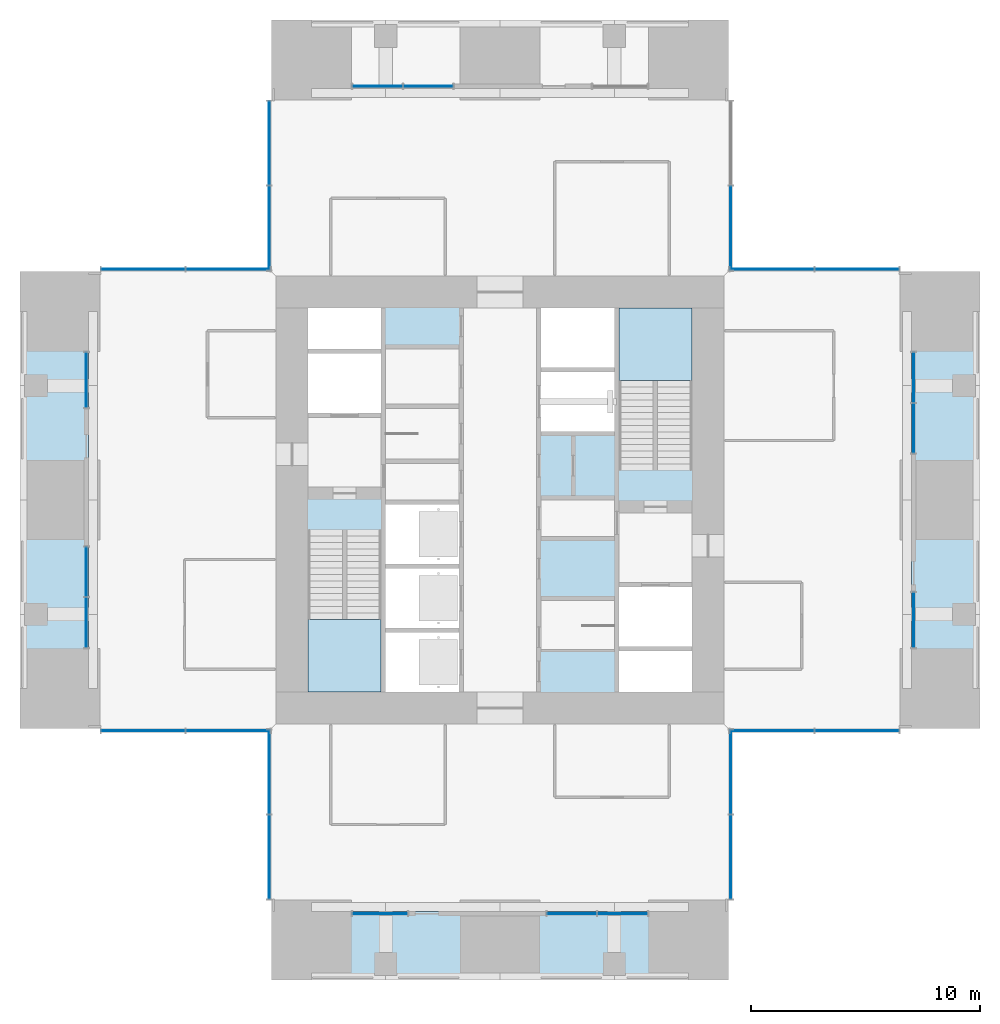
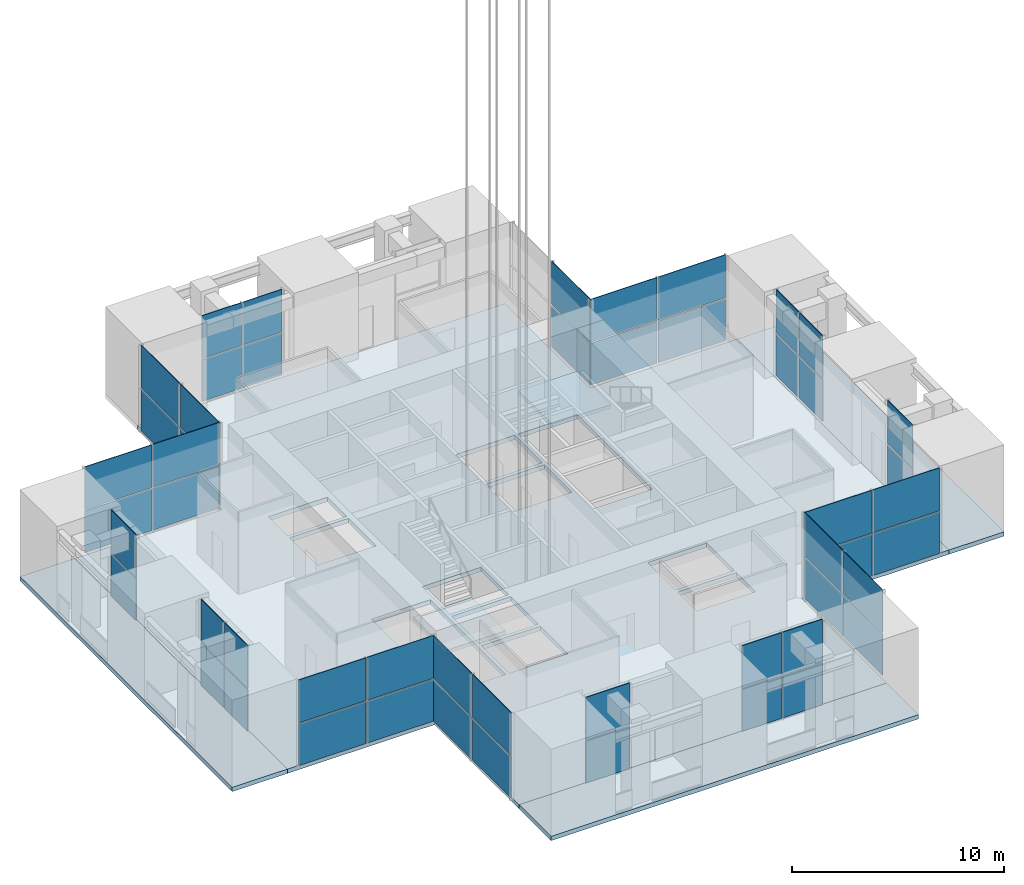
# One storey, part 4 of 17: 52 plates, 6 slabs, 17 elements without a shape of their own.
"""IFC4 building model written with IfcOpenShell, lengths in metres."""

from ifc_helpers import new_model, si_unit, direction, frame, origin, origin_2d, place, context, subcontext, project, spatial, polyline, rectangle, outline, extrude, material, layer, layer_set, type_object, element, aggregate, save


model = new_model("IFC4")

# Units and contexts
model_context = context("Model", 3, precision=1e-05, world=origin(), true_north=direction((0.0, 1.0)))
body_context = subcontext(model_context, "Body", "Model", "MODEL_VIEW")
ifc_project = project(units=[si_unit("LENGTHUNIT", "METRE"), si_unit("AREAUNIT", "SQUARE_METRE"), si_unit("VOLUMEUNIT", "CUBIC_METRE"), si_unit("PLANEANGLEUNIT", "RADIAN"), si_unit("MASSUNIT", "GRAM", prefix="KILO")], contexts=[model_context])

# Site, building, storey
site_placement = place(None, origin())
site = spatial("IfcSite", under=ifc_project, at=site_placement, CompositionType="ELEMENT")
building_placement = place(site_placement, origin())
building = spatial("IfcBuilding", under=site, at=building_placement, Name="Svetlomir Tower", CompositionType="ELEMENT")
storey_placement = place(building_placement, frame((0.0, 0.0, 165.5)))
storey = spatial("IfcBuildingStorey", under=building, at=storey_placement, Name="L39", CompositionType="ELEMENT", Elevation=165.5)

# Curtain wall, plates
ifc_material_1 = material(Name="Bronze anodised aluminium curtain wall", Category="aluminium")
curtain_wall_type = type_object("IfcCurtainWallType", Name="CURTAIN WALL CW2 SKY LOBBY", PredefinedType="NOTDEFINED", material=ifc_material_1)
curtain_wall_1_placement = place(storey_placement, origin())
curtain_wall_1 = element("IfcCurtainWall", 1, at=curtain_wall_1_placement, inside=storey, type_object=curtain_wall_type, Name="Curtain wall CW2 L39", PredefinedType="NOTDEFINED")
ifc_material_2 = material(Name="Tinted double glazed unit", Category="glass")
ifc_layer_1 = layer(ifc_material_2, 0.035888671875)
ifc_layer_set_1 = layer_set([ifc_layer_1], Name="Tinted double glazed unit")
plate_type = type_object("IfcPlateType", Name="CW2 GLAZED PANEL 36", PredefinedType="CURTAIN_PANEL", material=ifc_layer_set_1)
plate_1_placement = place(storey_placement, frame((15.75, 2.89990234375, 0.06494140625), z_axis=(0.0, 0.0, 1.0), x_axis=(1.0, 0.0, 0.0)))
plate_1 = element("IfcPlate", 2, at=plate_1_placement, type_object=plate_type, Name="CW2 panel 1.1", PredefinedType="CURTAIN_PANEL", context=body_context, shape_type="SweptSolid", body=[
    extrude(rectangle(XDim=2.3701171875, YDim=0.035888671875, at=origin_2d()), origin(), (0.0, 0.0, 1.0), 2.402587890625),
])
plate_2_placement = place(storey_placement, frame((15.75, 2.89990234375, 2.53271484375), z_axis=(0.0, 0.0, 1.0), x_axis=(1.0, 0.0, 0.0)))
plate_2 = element("IfcPlate", 3, at=plate_2_placement, type_object=plate_type, Name="CW2 panel 1.2", PredefinedType="CURTAIN_PANEL", context=body_context, shape_type="SweptSolid", body=[
    extrude(rectangle(XDim=2.3701171875, YDim=0.035888671875, at=origin_2d()), origin(), (0.0, 0.0, 1.0), 2.467529296875),
])
aggregate(curtain_wall_1, [plate_1, plate_2])

curtain_wall_2_placement = place(storey_placement, origin())
curtain_wall_2 = element("IfcCurtainWall", 4, at=curtain_wall_2_placement, inside=storey, type_object=curtain_wall_type, Name="Curtain wall CW2 L39", PredefinedType="NOTDEFINED")
plate_3_placement = place(storey_placement, frame((24.141357421875, 2.89990234375, 0.06494140625), z_axis=(0.0, 0.0, 1.0), x_axis=(1.0, 0.0, 0.0)))
plate_3 = element("IfcPlate", 5, at=plate_3_placement, type_object=plate_type, Name="CW2 panel 1.1", PredefinedType="CURTAIN_PANEL", context=body_context, shape_type="SweptSolid", body=[
    extrude(rectangle(XDim=2.152587890625, YDim=0.035888671875, at=origin_2d()), origin(), (0.0, 0.0, 1.0), 2.402587890625),
])
plate_4_placement = place(storey_placement, frame((24.141357421875, 2.89990234375, 2.53271484375), z_axis=(0.0, 0.0, 1.0), x_axis=(1.0, 0.0, 0.0)))
plate_4 = element("IfcPlate", 6, at=plate_4_placement, type_object=plate_type, Name="CW2 panel 1.2", PredefinedType="CURTAIN_PANEL", context=body_context, shape_type="SweptSolid", body=[
    extrude(rectangle(XDim=2.152587890625, YDim=0.035888671875, at=origin_2d()), origin(), (0.0, 0.0, 1.0), 2.467529296875),
])
plate_5_placement = place(storey_placement, frame((26.358642578125, 2.89990234375, 0.06494140625), z_axis=(0.0, 0.0, 1.0), x_axis=(1.0, 0.0, 0.0)))
plate_5 = element("IfcPlate", 7, at=plate_5_placement, type_object=plate_type, Name="CW2 panel 2.1", PredefinedType="CURTAIN_PANEL", context=body_context, shape_type="SweptSolid", body=[
    extrude(rectangle(XDim=2.152587890625, YDim=0.035888671875, at=origin_2d()), origin(), (0.0, 0.0, 1.0), 2.402587890625),
])
plate_6_placement = place(storey_placement, frame((26.358642578125, 2.89990234375, 2.53271484375), z_axis=(0.0, 0.0, 1.0), x_axis=(1.0, 0.0, 0.0)))
plate_6 = element("IfcPlate", 8, at=plate_6_placement, type_object=plate_type, Name="CW2 panel 2.2", PredefinedType="CURTAIN_PANEL", context=body_context, shape_type="SweptSolid", body=[
    extrude(rectangle(XDim=2.152587890625, YDim=0.035888671875, at=origin_2d()), origin(), (0.0, 0.0, 1.0), 2.467529296875),
])
aggregate(curtain_wall_2, [plate_3, plate_4, plate_5, plate_6])

curtain_wall_3_placement = place(storey_placement, origin())
curtain_wall_3 = element("IfcCurtainWall", 9, at=curtain_wall_3_placement, inside=storey, type_object=curtain_wall_type, Name="Curtain wall CW2 L39", PredefinedType="NOTDEFINED")
plate_7_placement = place(storey_placement, frame((31.10009765625, 5.391357421875, 0.06494140625), z_axis=(0.0, 0.0, 1.0), x_axis=(0.0, 1.0, 0.0)))
plate_7 = element("IfcPlate", 10, at=plate_7_placement, type_object=plate_type, Name="CW2 panel 1.1", PredefinedType="CURTAIN_PANEL", context=body_context, shape_type="SweptSolid", body=[
    extrude(rectangle(XDim=3.652587890625, YDim=0.035888671875, at=origin_2d()), origin(), (0.0, 0.0, 1.0), 2.402587890625),
])
plate_8_placement = place(storey_placement, frame((31.10009765625, 5.391357421875, 2.53271484375), z_axis=(0.0, 0.0, 1.0), x_axis=(0.0, 1.0, 0.0)))
plate_8 = element("IfcPlate", 11, at=plate_8_placement, type_object=plate_type, Name="CW2 panel 1.2", PredefinedType="CURTAIN_PANEL", context=body_context, shape_type="SweptSolid", body=[
    extrude(rectangle(XDim=3.652587890625, YDim=0.035888671875, at=origin_2d()), origin(), (0.0, 0.0, 1.0), 2.467529296875),
])
plate_9_placement = place(storey_placement, frame((31.10009765625, 9.108642578125, 0.06494140625), z_axis=(0.0, 0.0, 1.0), x_axis=(0.0, 1.0, 0.0)))
plate_9 = element("IfcPlate", 12, at=plate_9_placement, type_object=plate_type, Name="CW2 panel 2.1", PredefinedType="CURTAIN_PANEL", context=body_context, shape_type="SweptSolid", body=[
    extrude(rectangle(XDim=3.652587890625, YDim=0.035888671875, at=origin_2d()), origin(), (0.0, 0.0, 1.0), 2.402587890625),
])
plate_10_placement = place(storey_placement, frame((31.10009765625, 9.108642578125, 2.53271484375), z_axis=(0.0, 0.0, 1.0), x_axis=(0.0, 1.0, 0.0)))
plate_10 = element("IfcPlate", 13, at=plate_10_placement, type_object=plate_type, Name="CW2 panel 2.2", PredefinedType="CURTAIN_PANEL", context=body_context, shape_type="SweptSolid", body=[
    extrude(rectangle(XDim=3.652587890625, YDim=0.035888671875, at=origin_2d()), origin(), (0.0, 0.0, 1.0), 2.467529296875),
])
aggregate(curtain_wall_3, [plate_7, plate_8, plate_9, plate_10])

curtain_wall_4_placement = place(storey_placement, origin())
curtain_wall_4 = element("IfcCurtainWall", 14, at=curtain_wall_4_placement, inside=storey, type_object=curtain_wall_type, Name="Curtain wall CW2 L39", PredefinedType="NOTDEFINED")
plate_11_placement = place(storey_placement, frame((32.891357421875, 10.89990234375, 0.06494140625), z_axis=(0.0, 0.0, 1.0), x_axis=(1.0, 0.0, 0.0)))
plate_11 = element("IfcPlate", 15, at=plate_11_placement, type_object=plate_type, Name="CW2 panel 1.1", PredefinedType="CURTAIN_PANEL", context=body_context, shape_type="SweptSolid", body=[
    extrude(rectangle(XDim=3.652587890625, YDim=0.035888671875, at=origin_2d()), origin(), (0.0, 0.0, 1.0), 2.402587890625),
])
plate_12_placement = place(storey_placement, frame((32.891357421875, 10.89990234375, 2.53271484375), z_axis=(0.0, 0.0, 1.0), x_axis=(1.0, 0.0, 0.0)))
plate_12 = element("IfcPlate", 16, at=plate_12_placement, type_object=plate_type, Name="CW2 panel 1.2", PredefinedType="CURTAIN_PANEL", context=body_context, shape_type="SweptSolid", body=[
    extrude(rectangle(XDim=3.652587890625, YDim=0.035888671875, at=origin_2d()), origin(), (0.0, 0.0, 1.0), 2.467529296875),
])
plate_13_placement = place(storey_placement, frame((36.608642578125, 10.89990234375, 0.06494140625), z_axis=(0.0, 0.0, 1.0), x_axis=(1.0, 0.0, 0.0)))
plate_13 = element("IfcPlate", 17, at=plate_13_placement, type_object=plate_type, Name="CW2 panel 2.1", PredefinedType="CURTAIN_PANEL", context=body_context, shape_type="SweptSolid", body=[
    extrude(rectangle(XDim=3.652587890625, YDim=0.035888671875, at=origin_2d()), origin(), (0.0, 0.0, 1.0), 2.402587890625),
])
plate_14_placement = place(storey_placement, frame((36.608642578125, 10.89990234375, 2.53271484375), z_axis=(0.0, 0.0, 1.0), x_axis=(1.0, 0.0, 0.0)))
plate_14 = element("IfcPlate", 18, at=plate_14_placement, type_object=plate_type, Name="CW2 panel 2.2", PredefinedType="CURTAIN_PANEL", context=body_context, shape_type="SweptSolid", body=[
    extrude(rectangle(XDim=3.652587890625, YDim=0.035888671875, at=origin_2d()), origin(), (0.0, 0.0, 1.0), 2.467529296875),
])
aggregate(curtain_wall_4, [plate_11, plate_12, plate_13, plate_14])

curtain_wall_5_placement = place(storey_placement, origin())
curtain_wall_5 = element("IfcCurtainWall", 19, at=curtain_wall_5_placement, inside=storey, type_object=curtain_wall_type, Name="Curtain wall CW2 L39", PredefinedType="NOTDEFINED")
plate_15_placement = place(storey_placement, frame((39.10009765625, 15.75, 0.06494140625), z_axis=(0.0, 0.0, 1.0), x_axis=(0.0, 1.0, 0.0)))
plate_15 = element("IfcPlate", 20, at=plate_15_placement, type_object=plate_type, Name="CW2 panel 1.1", PredefinedType="CURTAIN_PANEL", context=body_context, shape_type="SweptSolid", body=[
    extrude(rectangle(XDim=2.3701171875, YDim=0.035888671875, at=origin_2d()), origin(), (0.0, 0.0, 1.0), 2.402587890625),
])
plate_16_placement = place(storey_placement, frame((39.10009765625, 15.75, 2.53271484375), z_axis=(0.0, 0.0, 1.0), x_axis=(0.0, 1.0, 0.0)))
plate_16 = element("IfcPlate", 21, at=plate_16_placement, type_object=plate_type, Name="CW2 panel 1.2", PredefinedType="CURTAIN_PANEL", context=body_context, shape_type="SweptSolid", body=[
    extrude(rectangle(XDim=2.3701171875, YDim=0.035888671875, at=origin_2d()), origin(), (0.0, 0.0, 1.0), 2.467529296875),
])
aggregate(curtain_wall_5, [plate_15, plate_16])

curtain_wall_6_placement = place(storey_placement, origin())
curtain_wall_6 = element("IfcCurtainWall", 22, at=curtain_wall_6_placement, inside=storey, type_object=curtain_wall_type, Name="Curtain wall CW2 L39", PredefinedType="NOTDEFINED")
plate_17_placement = place(storey_placement, frame((39.10009765625, 24.141357421875, 0.06494140625), z_axis=(0.0, 0.0, 1.0), x_axis=(0.0, 1.0, 0.0)))
plate_17 = element("IfcPlate", 23, at=plate_17_placement, type_object=plate_type, Name="CW2 panel 1.1", PredefinedType="CURTAIN_PANEL", context=body_context, shape_type="SweptSolid", body=[
    extrude(rectangle(XDim=2.152587890625, YDim=0.035888671875, at=origin_2d()), origin(), (0.0, 0.0, 1.0), 2.402587890625),
])
plate_18_placement = place(storey_placement, frame((39.10009765625, 24.141357421875, 2.53271484375), z_axis=(0.0, 0.0, 1.0), x_axis=(0.0, 1.0, 0.0)))
plate_18 = element("IfcPlate", 24, at=plate_18_placement, type_object=plate_type, Name="CW2 panel 1.2", PredefinedType="CURTAIN_PANEL", context=body_context, shape_type="SweptSolid", body=[
    extrude(rectangle(XDim=2.152587890625, YDim=0.035888671875, at=origin_2d()), origin(), (0.0, 0.0, 1.0), 2.467529296875),
])
plate_19_placement = place(storey_placement, frame((39.10009765625, 26.358642578125, 0.06494140625), z_axis=(0.0, 0.0, 1.0), x_axis=(0.0, 1.0, 0.0)))
plate_19 = element("IfcPlate", 25, at=plate_19_placement, type_object=plate_type, Name="CW2 panel 2.1", PredefinedType="CURTAIN_PANEL", context=body_context, shape_type="SweptSolid", body=[
    extrude(rectangle(XDim=2.152587890625, YDim=0.035888671875, at=origin_2d()), origin(), (0.0, 0.0, 1.0), 2.402587890625),
])
plate_20_placement = place(storey_placement, frame((39.10009765625, 26.358642578125, 2.53271484375), z_axis=(0.0, 0.0, 1.0), x_axis=(0.0, 1.0, 0.0)))
plate_20 = element("IfcPlate", 26, at=plate_20_placement, type_object=plate_type, Name="CW2 panel 2.2", PredefinedType="CURTAIN_PANEL", context=body_context, shape_type="SweptSolid", body=[
    extrude(rectangle(XDim=2.152587890625, YDim=0.035888671875, at=origin_2d()), origin(), (0.0, 0.0, 1.0), 2.467529296875),
])
aggregate(curtain_wall_6, [plate_17, plate_18, plate_19, plate_20])

curtain_wall_7_placement = place(storey_placement, origin())
curtain_wall_7 = element("IfcCurtainWall", 27, at=curtain_wall_7_placement, inside=storey, type_object=curtain_wall_type, Name="Curtain wall CW2 L39", PredefinedType="NOTDEFINED")
plate_21_placement = place(storey_placement, frame((36.608642578125, 31.10009765625, 0.06494140625), z_axis=(0.0, 0.0, 1.0), x_axis=(-1.0, 0.0, 0.0)))
plate_21 = element("IfcPlate", 28, at=plate_21_placement, type_object=plate_type, Name="CW2 panel 1.1", PredefinedType="CURTAIN_PANEL", context=body_context, shape_type="SweptSolid", body=[
    extrude(rectangle(XDim=3.652587890625, YDim=0.035888671875, at=origin_2d()), origin(), (0.0, 0.0, 1.0), 2.402587890625),
])
plate_22_placement = place(storey_placement, frame((36.608642578125, 31.10009765625, 2.53271484375), z_axis=(0.0, 0.0, 1.0), x_axis=(-1.0, 0.0, 0.0)))
plate_22 = element("IfcPlate", 29, at=plate_22_placement, type_object=plate_type, Name="CW2 panel 1.2", PredefinedType="CURTAIN_PANEL", context=body_context, shape_type="SweptSolid", body=[
    extrude(rectangle(XDim=3.652587890625, YDim=0.035888671875, at=origin_2d()), origin(), (0.0, 0.0, 1.0), 2.467529296875),
])
plate_23_placement = place(storey_placement, frame((32.891357421875, 31.10009765625, 0.06494140625), z_axis=(0.0, 0.0, 1.0), x_axis=(-1.0, 0.0, 0.0)))
plate_23 = element("IfcPlate", 30, at=plate_23_placement, type_object=plate_type, Name="CW2 panel 2.1", PredefinedType="CURTAIN_PANEL", context=body_context, shape_type="SweptSolid", body=[
    extrude(rectangle(XDim=3.652587890625, YDim=0.035888671875, at=origin_2d()), origin(), (0.0, 0.0, 1.0), 2.402587890625),
])
plate_24_placement = place(storey_placement, frame((32.891357421875, 31.10009765625, 2.53271484375), z_axis=(0.0, 0.0, 1.0), x_axis=(-1.0, 0.0, 0.0)))
plate_24 = element("IfcPlate", 31, at=plate_24_placement, type_object=plate_type, Name="CW2 panel 2.2", PredefinedType="CURTAIN_PANEL", context=body_context, shape_type="SweptSolid", body=[
    extrude(rectangle(XDim=3.652587890625, YDim=0.035888671875, at=origin_2d()), origin(), (0.0, 0.0, 1.0), 2.467529296875),
])
aggregate(curtain_wall_7, [plate_21, plate_22, plate_23, plate_24])

curtain_wall_8_placement = place(storey_placement, origin())
curtain_wall_8 = element("IfcCurtainWall", 32, at=curtain_wall_8_placement, inside=storey, type_object=curtain_wall_type, Name="Curtain wall CW2 L39", PredefinedType="NOTDEFINED")
plate_25_placement = place(storey_placement, frame((31.10009765625, 32.891357421875, 0.06494140625), z_axis=(0.0, 0.0, 1.0), x_axis=(0.0, 1.0, 0.0)))
plate_25 = element("IfcPlate", 33, at=plate_25_placement, type_object=plate_type, Name="CW2 panel 1.1", PredefinedType="CURTAIN_PANEL", context=body_context, shape_type="SweptSolid", body=[
    extrude(rectangle(XDim=3.652587890625, YDim=0.035888671875, at=origin_2d()), origin(), (0.0, 0.0, 1.0), 2.402587890625),
])
plate_26_placement = place(storey_placement, frame((31.10009765625, 32.891357421875, 2.53271484375), z_axis=(0.0, 0.0, 1.0), x_axis=(0.0, 1.0, 0.0)))
plate_26 = element("IfcPlate", 34, at=plate_26_placement, type_object=plate_type, Name="CW2 panel 1.2", PredefinedType="CURTAIN_PANEL", context=body_context, shape_type="SweptSolid", body=[
    extrude(rectangle(XDim=3.652587890625, YDim=0.035888671875, at=origin_2d()), origin(), (0.0, 0.0, 1.0), 2.467529296875),
])
aggregate(curtain_wall_8, [plate_25, plate_26])

curtain_wall_9_placement = place(storey_placement, origin())
curtain_wall_9 = element("IfcCurtainWall", 35, at=curtain_wall_9_placement, inside=storey, type_object=curtain_wall_type, Name="Curtain wall CW2 L39", PredefinedType="NOTDEFINED")
plate_27_placement = place(storey_placement, frame((17.858642578125, 39.10009765625, 0.06494140625), z_axis=(0.0, 0.0, 1.0), x_axis=(-1.0, 0.0, 0.0)))
plate_27 = element("IfcPlate", 36, at=plate_27_placement, type_object=plate_type, Name="CW2 panel 1.1", PredefinedType="CURTAIN_PANEL", context=body_context, shape_type="SweptSolid", body=[
    extrude(rectangle(XDim=2.152587890625, YDim=0.035888671875, at=origin_2d()), origin(), (0.0, 0.0, 1.0), 2.402587890625),
])
plate_28_placement = place(storey_placement, frame((17.858642578125, 39.10009765625, 2.53271484375), z_axis=(0.0, 0.0, 1.0), x_axis=(-1.0, 0.0, 0.0)))
plate_28 = element("IfcPlate", 37, at=plate_28_placement, type_object=plate_type, Name="CW2 panel 1.2", PredefinedType="CURTAIN_PANEL", context=body_context, shape_type="SweptSolid", body=[
    extrude(rectangle(XDim=2.152587890625, YDim=0.035888671875, at=origin_2d()), origin(), (0.0, 0.0, 1.0), 2.467529296875),
])
plate_29_placement = place(storey_placement, frame((15.641357421875, 39.10009765625, 0.06494140625), z_axis=(0.0, 0.0, 1.0), x_axis=(-1.0, 0.0, 0.0)))
plate_29 = element("IfcPlate", 38, at=plate_29_placement, type_object=plate_type, Name="CW2 panel 2.1", PredefinedType="CURTAIN_PANEL", context=body_context, shape_type="SweptSolid", body=[
    extrude(rectangle(XDim=2.152587890625, YDim=0.035888671875, at=origin_2d()), origin(), (0.0, 0.0, 1.0), 2.402587890625),
])
plate_30_placement = place(storey_placement, frame((15.641357421875, 39.10009765625, 2.53271484375), z_axis=(0.0, 0.0, 1.0), x_axis=(-1.0, 0.0, 0.0)))
plate_30 = element("IfcPlate", 39, at=plate_30_placement, type_object=plate_type, Name="CW2 panel 2.2", PredefinedType="CURTAIN_PANEL", context=body_context, shape_type="SweptSolid", body=[
    extrude(rectangle(XDim=2.152587890625, YDim=0.035888671875, at=origin_2d()), origin(), (0.0, 0.0, 1.0), 2.467529296875),
])
aggregate(curtain_wall_9, [plate_27, plate_28, plate_29, plate_30])

curtain_wall_10_placement = place(storey_placement, origin())
curtain_wall_10 = element("IfcCurtainWall", 40, at=curtain_wall_10_placement, inside=storey, type_object=curtain_wall_type, Name="Curtain wall CW2 L39", PredefinedType="NOTDEFINED")
plate_31_placement = place(storey_placement, frame((10.89990234375, 36.608642578125, 0.06494140625), z_axis=(0.0, 0.0, 1.0), x_axis=(0.0, -1.0, 0.0)))
plate_31 = element("IfcPlate", 41, at=plate_31_placement, type_object=plate_type, Name="CW2 panel 1.1", PredefinedType="CURTAIN_PANEL", context=body_context, shape_type="SweptSolid", body=[
    extrude(rectangle(XDim=3.652587890625, YDim=0.035888671875, at=origin_2d()), origin(), (0.0, 0.0, 1.0), 2.402587890625),
])
plate_32_placement = place(storey_placement, frame((10.89990234375, 36.608642578125, 2.53271484375), z_axis=(0.0, 0.0, 1.0), x_axis=(0.0, -1.0, 0.0)))
plate_32 = element("IfcPlate", 42, at=plate_32_placement, type_object=plate_type, Name="CW2 panel 1.2", PredefinedType="CURTAIN_PANEL", context=body_context, shape_type="SweptSolid", body=[
    extrude(rectangle(XDim=3.652587890625, YDim=0.035888671875, at=origin_2d()), origin(), (0.0, 0.0, 1.0), 2.467529296875),
])
plate_33_placement = place(storey_placement, frame((10.89990234375, 32.891357421875, 0.06494140625), z_axis=(0.0, 0.0, 1.0), x_axis=(0.0, -1.0, 0.0)))
plate_33 = element("IfcPlate", 43, at=plate_33_placement, type_object=plate_type, Name="CW2 panel 2.1", PredefinedType="CURTAIN_PANEL", context=body_context, shape_type="SweptSolid", body=[
    extrude(rectangle(XDim=3.652587890625, YDim=0.035888671875, at=origin_2d()), origin(), (0.0, 0.0, 1.0), 2.402587890625),
])
plate_34_placement = place(storey_placement, frame((10.89990234375, 32.891357421875, 2.53271484375), z_axis=(0.0, 0.0, 1.0), x_axis=(0.0, -1.0, 0.0)))
plate_34 = element("IfcPlate", 44, at=plate_34_placement, type_object=plate_type, Name="CW2 panel 2.2", PredefinedType="CURTAIN_PANEL", context=body_context, shape_type="SweptSolid", body=[
    extrude(rectangle(XDim=3.652587890625, YDim=0.035888671875, at=origin_2d()), origin(), (0.0, 0.0, 1.0), 2.467529296875),
])
aggregate(curtain_wall_10, [plate_31, plate_32, plate_33, plate_34])

curtain_wall_11_placement = place(storey_placement, origin())
curtain_wall_11 = element("IfcCurtainWall", 45, at=curtain_wall_11_placement, inside=storey, type_object=curtain_wall_type, Name="Curtain wall CW2 L39", PredefinedType="NOTDEFINED")
plate_35_placement = place(storey_placement, frame((9.108642578125, 31.10009765625, 0.06494140625), z_axis=(0.0, 0.0, 1.0), x_axis=(-1.0, 0.0, 0.0)))
plate_35 = element("IfcPlate", 46, at=plate_35_placement, type_object=plate_type, Name="CW2 panel 1.1", PredefinedType="CURTAIN_PANEL", context=body_context, shape_type="SweptSolid", body=[
    extrude(rectangle(XDim=3.652587890625, YDim=0.035888671875, at=origin_2d()), origin(), (0.0, 0.0, 1.0), 2.402587890625),
])
plate_36_placement = place(storey_placement, frame((9.108642578125, 31.10009765625, 2.53271484375), z_axis=(0.0, 0.0, 1.0), x_axis=(-1.0, 0.0, 0.0)))
plate_36 = element("IfcPlate", 47, at=plate_36_placement, type_object=plate_type, Name="CW2 panel 1.2", PredefinedType="CURTAIN_PANEL", context=body_context, shape_type="SweptSolid", body=[
    extrude(rectangle(XDim=3.652587890625, YDim=0.035888671875, at=origin_2d()), origin(), (0.0, 0.0, 1.0), 2.467529296875),
])
plate_37_placement = place(storey_placement, frame((5.391357421875, 31.10009765625, 0.06494140625), z_axis=(0.0, 0.0, 1.0), x_axis=(-1.0, 0.0, 0.0)))
plate_37 = element("IfcPlate", 48, at=plate_37_placement, type_object=plate_type, Name="CW2 panel 2.1", PredefinedType="CURTAIN_PANEL", context=body_context, shape_type="SweptSolid", body=[
    extrude(rectangle(XDim=3.652587890625, YDim=0.035888671875, at=origin_2d()), origin(), (0.0, 0.0, 1.0), 2.402587890625),
])
plate_38_placement = place(storey_placement, frame((5.391357421875, 31.10009765625, 2.53271484375), z_axis=(0.0, 0.0, 1.0), x_axis=(-1.0, 0.0, 0.0)))
plate_38 = element("IfcPlate", 49, at=plate_38_placement, type_object=plate_type, Name="CW2 panel 2.2", PredefinedType="CURTAIN_PANEL", context=body_context, shape_type="SweptSolid", body=[
    extrude(rectangle(XDim=3.652587890625, YDim=0.035888671875, at=origin_2d()), origin(), (0.0, 0.0, 1.0), 2.467529296875),
])
aggregate(curtain_wall_11, [plate_35, plate_36, plate_37, plate_38])

curtain_wall_12_placement = place(storey_placement, origin())
curtain_wall_12 = element("IfcCurtainWall", 50, at=curtain_wall_12_placement, inside=storey, type_object=curtain_wall_type, Name="Curtain wall CW2 L39", PredefinedType="NOTDEFINED")
plate_39_placement = place(storey_placement, frame((2.89990234375, 26.25, 0.06494140625), z_axis=(0.0, 0.0, 1.0), x_axis=(0.0, -1.0, 0.0)))
plate_39 = element("IfcPlate", 51, at=plate_39_placement, type_object=plate_type, Name="CW2 panel 1.1", PredefinedType="CURTAIN_PANEL", context=body_context, shape_type="SweptSolid", body=[
    extrude(rectangle(XDim=2.3701171875, YDim=0.035888671875, at=origin_2d()), origin(), (0.0, 0.0, 1.0), 2.402587890625),
])
plate_40_placement = place(storey_placement, frame((2.89990234375, 26.25, 2.53271484375), z_axis=(0.0, 0.0, 1.0), x_axis=(0.0, -1.0, 0.0)))
plate_40 = element("IfcPlate", 52, at=plate_40_placement, type_object=plate_type, Name="CW2 panel 1.2", PredefinedType="CURTAIN_PANEL", context=body_context, shape_type="SweptSolid", body=[
    extrude(rectangle(XDim=2.3701171875, YDim=0.035888671875, at=origin_2d()), origin(), (0.0, 0.0, 1.0), 2.467529296875),
])
aggregate(curtain_wall_12, [plate_39, plate_40])

curtain_wall_13_placement = place(storey_placement, origin())
curtain_wall_13 = element("IfcCurtainWall", 53, at=curtain_wall_13_placement, inside=storey, type_object=curtain_wall_type, Name="Curtain wall CW2 L39", PredefinedType="NOTDEFINED")
plate_41_placement = place(storey_placement, frame((2.89990234375, 17.858642578125, 0.06494140625), z_axis=(0.0, 0.0, 1.0), x_axis=(0.0, -1.0, 0.0)))
plate_41 = element("IfcPlate", 54, at=plate_41_placement, type_object=plate_type, Name="CW2 panel 1.1", PredefinedType="CURTAIN_PANEL", context=body_context, shape_type="SweptSolid", body=[
    extrude(rectangle(XDim=2.152587890625, YDim=0.035888671875, at=origin_2d()), origin(), (0.0, 0.0, 1.0), 2.402587890625),
])
plate_42_placement = place(storey_placement, frame((2.89990234375, 17.858642578125, 2.53271484375), z_axis=(0.0, 0.0, 1.0), x_axis=(0.0, -1.0, 0.0)))
plate_42 = element("IfcPlate", 55, at=plate_42_placement, type_object=plate_type, Name="CW2 panel 1.2", PredefinedType="CURTAIN_PANEL", context=body_context, shape_type="SweptSolid", body=[
    extrude(rectangle(XDim=2.152587890625, YDim=0.035888671875, at=origin_2d()), origin(), (0.0, 0.0, 1.0), 2.467529296875),
])
plate_43_placement = place(storey_placement, frame((2.89990234375, 15.641357421875, 0.06494140625), z_axis=(0.0, 0.0, 1.0), x_axis=(0.0, -1.0, 0.0)))
plate_43 = element("IfcPlate", 56, at=plate_43_placement, type_object=plate_type, Name="CW2 panel 2.1", PredefinedType="CURTAIN_PANEL", context=body_context, shape_type="SweptSolid", body=[
    extrude(rectangle(XDim=2.152587890625, YDim=0.035888671875, at=origin_2d()), origin(), (0.0, 0.0, 1.0), 2.402587890625),
])
plate_44_placement = place(storey_placement, frame((2.89990234375, 15.641357421875, 2.53271484375), z_axis=(0.0, 0.0, 1.0), x_axis=(0.0, -1.0, 0.0)))
plate_44 = element("IfcPlate", 57, at=plate_44_placement, type_object=plate_type, Name="CW2 panel 2.2", PredefinedType="CURTAIN_PANEL", context=body_context, shape_type="SweptSolid", body=[
    extrude(rectangle(XDim=2.152587890625, YDim=0.035888671875, at=origin_2d()), origin(), (0.0, 0.0, 1.0), 2.467529296875),
])
aggregate(curtain_wall_13, [plate_41, plate_42, plate_43, plate_44])

curtain_wall_14_placement = place(storey_placement, origin())
curtain_wall_14 = element("IfcCurtainWall", 58, at=curtain_wall_14_placement, inside=storey, type_object=curtain_wall_type, Name="Curtain wall CW2 L39", PredefinedType="NOTDEFINED")
plate_45_placement = place(storey_placement, frame((5.391357421875, 10.89990234375, 0.06494140625), z_axis=(0.0, 0.0, 1.0), x_axis=(1.0, 0.0, 0.0)))
plate_45 = element("IfcPlate", 59, at=plate_45_placement, type_object=plate_type, Name="CW2 panel 1.1", PredefinedType="CURTAIN_PANEL", context=body_context, shape_type="SweptSolid", body=[
    extrude(rectangle(XDim=3.652587890625, YDim=0.035888671875, at=origin_2d()), origin(), (0.0, 0.0, 1.0), 2.402587890625),
])
plate_46_placement = place(storey_placement, frame((5.391357421875, 10.89990234375, 2.53271484375), z_axis=(0.0, 0.0, 1.0), x_axis=(1.0, 0.0, 0.0)))
plate_46 = element("IfcPlate", 60, at=plate_46_placement, type_object=plate_type, Name="CW2 panel 1.2", PredefinedType="CURTAIN_PANEL", context=body_context, shape_type="SweptSolid", body=[
    extrude(rectangle(XDim=3.652587890625, YDim=0.035888671875, at=origin_2d()), origin(), (0.0, 0.0, 1.0), 2.467529296875),
])
plate_47_placement = place(storey_placement, frame((9.108642578125, 10.89990234375, 0.06494140625), z_axis=(0.0, 0.0, 1.0), x_axis=(1.0, 0.0, 0.0)))
plate_47 = element("IfcPlate", 61, at=plate_47_placement, type_object=plate_type, Name="CW2 panel 2.1", PredefinedType="CURTAIN_PANEL", context=body_context, shape_type="SweptSolid", body=[
    extrude(rectangle(XDim=3.652587890625, YDim=0.035888671875, at=origin_2d()), origin(), (0.0, 0.0, 1.0), 2.402587890625),
])
plate_48_placement = place(storey_placement, frame((9.108642578125, 10.89990234375, 2.53271484375), z_axis=(0.0, 0.0, 1.0), x_axis=(1.0, 0.0, 0.0)))
plate_48 = element("IfcPlate", 62, at=plate_48_placement, type_object=plate_type, Name="CW2 panel 2.2", PredefinedType="CURTAIN_PANEL", context=body_context, shape_type="SweptSolid", body=[
    extrude(rectangle(XDim=3.652587890625, YDim=0.035888671875, at=origin_2d()), origin(), (0.0, 0.0, 1.0), 2.467529296875),
])
aggregate(curtain_wall_14, [plate_45, plate_46, plate_47, plate_48])

curtain_wall_15_placement = place(storey_placement, origin())
curtain_wall_15 = element("IfcCurtainWall", 63, at=curtain_wall_15_placement, inside=storey, type_object=curtain_wall_type, Name="Curtain wall CW2 L39", PredefinedType="NOTDEFINED")
plate_49_placement = place(storey_placement, frame((10.89990234375, 9.108642578125, 0.06494140625), z_axis=(0.0, 0.0, 1.0), x_axis=(0.0, -1.0, 0.0)))
plate_49 = element("IfcPlate", 64, at=plate_49_placement, type_object=plate_type, Name="CW2 panel 1.1", PredefinedType="CURTAIN_PANEL", context=body_context, shape_type="SweptSolid", body=[
    extrude(rectangle(XDim=3.652587890625, YDim=0.035888671875, at=origin_2d()), origin(), (0.0, 0.0, 1.0), 2.402587890625),
])
plate_50_placement = place(storey_placement, frame((10.89990234375, 9.108642578125, 2.53271484375), z_axis=(0.0, 0.0, 1.0), x_axis=(0.0, -1.0, 0.0)))
plate_50 = element("IfcPlate", 65, at=plate_50_placement, type_object=plate_type, Name="CW2 panel 1.2", PredefinedType="CURTAIN_PANEL", context=body_context, shape_type="SweptSolid", body=[
    extrude(rectangle(XDim=3.652587890625, YDim=0.035888671875, at=origin_2d()), origin(), (0.0, 0.0, 1.0), 2.467529296875),
])
plate_51_placement = place(storey_placement, frame((10.89990234375, 5.391357421875, 0.06494140625), z_axis=(0.0, 0.0, 1.0), x_axis=(0.0, -1.0, 0.0)))
plate_51 = element("IfcPlate", 66, at=plate_51_placement, type_object=plate_type, Name="CW2 panel 2.1", PredefinedType="CURTAIN_PANEL", context=body_context, shape_type="SweptSolid", body=[
    extrude(rectangle(XDim=3.652587890625, YDim=0.035888671875, at=origin_2d()), origin(), (0.0, 0.0, 1.0), 2.402587890625),
])
plate_52_placement = place(storey_placement, frame((10.89990234375, 5.391357421875, 2.53271484375), z_axis=(0.0, 0.0, 1.0), x_axis=(0.0, -1.0, 0.0)))
plate_52 = element("IfcPlate", 67, at=plate_52_placement, type_object=plate_type, Name="CW2 panel 2.2", PredefinedType="CURTAIN_PANEL", context=body_context, shape_type="SweptSolid", body=[
    extrude(rectangle(XDim=3.652587890625, YDim=0.035888671875, at=origin_2d()), origin(), (0.0, 0.0, 1.0), 2.467529296875),
])
aggregate(curtain_wall_15, [plate_49, plate_50, plate_51, plate_52])

# Slabs
ifc_material_3 = material(Name="Concrete C60/75", Category="concrete")
ifc_layer_2 = layer(ifc_material_3, 0.25)
ifc_layer_set_2 = layer_set([ifc_layer_2], Name="Concrete C60/75")
slab_type_1 = type_object("IfcSlabType", Name="FLOOR SLAB 250", PredefinedType="FLOOR", material=ifc_layer_set_2)
slab_1_placement = place(storey_placement, frame((0.0, 0.0, -0.25)))
element("IfcSlab", 68, at=slab_1_placement, inside=storey, type_object=slab_type_1, Name="L39 floor slab", PredefinedType="FLOOR", context=body_context, shape_type="SweptSolid", body=[
    extrude(outline(polyline([(11.0, 3.0), (31.0, 3.0), (31.0, 11.0), (39.0, 11.0), (39.0, 31.0), (31.0, 31.0), (31.0, 39.0), (11.0, 39.0), (11.0, 31.0), (3.0, 31.0), (3.0, 11.0), (11.0, 11.0), (11.0, 3.0)]), holes=[polyline([(12.60009765625, 24.800048828125), (15.800048828125, 24.800048828125), (15.800048828125, 27.39990234375), (12.60009765625, 27.39990234375), (12.60009765625, 24.800048828125)]), polyline([(26.199951171875, 14.60009765625), (29.39990234375, 14.60009765625), (29.39990234375, 17.199951171875), (26.199951171875, 17.199951171875), (26.199951171875, 14.60009765625)]), polyline([(16.0, 12.60009765625), (19.199951171875, 12.60009765625), (19.199951171875, 15.199951171875), (16.0, 15.199951171875), (16.0, 12.60009765625)]), polyline([(16.0, 15.39990234375), (19.199951171875, 15.39990234375), (19.199951171875, 18.0), (16.0, 18.0), (16.0, 15.39990234375)]), polyline([(16.0, 18.199951171875), (19.199951171875, 18.199951171875), (19.199951171875, 20.800048828125), (16.0, 20.800048828125), (16.0, 18.199951171875)]), polyline([(22.800048828125, 24.0), (26.0, 24.0), (26.0, 26.60009765625), (22.800048828125, 26.60009765625), (22.800048828125, 24.0)]), polyline([(22.800048828125, 26.800048828125), (26.0, 26.800048828125), (26.0, 29.39990234375), (22.800048828125, 29.39990234375), (22.800048828125, 26.800048828125)]), polyline([(12.60009765625, 27.60009765625), (15.800048828125, 27.60009765625), (15.800048828125, 29.39990234375), (12.60009765625, 29.39990234375), (12.60009765625, 27.60009765625)]), polyline([(26.199951171875, 12.60009765625), (29.39990234375, 12.60009765625), (29.39990234375, 14.39990234375), (26.199951171875, 14.39990234375), (26.199951171875, 12.60009765625)]), polyline([(12.60009765625, 12.60009765625), (15.800048828125, 12.60009765625), (15.800048828125, 19.679931640625), (12.60009765625, 19.679931640625), (12.60009765625, 12.60009765625)]), polyline([(26.199951171875, 22.320068359375), (29.39990234375, 22.320068359375), (29.39990234375, 29.39990234375), (26.199951171875, 29.39990234375), (26.199951171875, 22.320068359375)])]), origin(), (0.0, 0.0, 1.0), 0.25),
])
ifc_material_4 = material(Name="Concrete C60/75", Category="concrete")
ifc_layer_3 = layer(ifc_material_4, 0.25)
ifc_layer_set_3 = layer_set([ifc_layer_3], Name="Concrete C60/75")
slab_type_2 = type_object("IfcSlabType", Name="PLANTED LOGGIA SLAB 250", PredefinedType="FLOOR", material=ifc_layer_set_3)
slab_2_placement = place(storey_placement, frame((0.0, 0.0, -0.25)))
element("IfcSlab", 69, at=slab_2_placement, inside=storey, type_object=slab_type_2, Name="L39 S planted loggia", PredefinedType="FLOOR", context=body_context, shape_type="SweptSolid", body=[
    extrude(outline(polyline([(11.0, 0.0), (31.0, 0.0), (31.0, 3.0), (11.0, 3.0), (11.0, 0.0)])), origin(), (0.0, 0.0, 1.0), 0.25),
])
slab_3_placement = place(storey_placement, frame((0.0, 0.0, -0.25)))
element("IfcSlab", 70, at=slab_3_placement, inside=storey, type_object=slab_type_2, Name="L39 E planted loggia", PredefinedType="FLOOR", context=body_context, shape_type="SweptSolid", body=[
    extrude(outline(polyline([(39.0, 11.0), (42.0, 11.0), (42.0, 31.0), (39.0, 31.0), (39.0, 11.0)])), origin(), (0.0, 0.0, 1.0), 0.25),
])
slab_4_placement = place(storey_placement, frame((0.0, 0.0, -0.25)))
element("IfcSlab", 71, at=slab_4_placement, inside=storey, type_object=slab_type_2, Name="L39 W planted loggia", PredefinedType="FLOOR", context=body_context, shape_type="SweptSolid", body=[
    extrude(outline(polyline([(0.0, 11.0), (3.0, 11.0), (3.0, 31.0), (0.0, 31.0), (0.0, 11.0)])), origin(), (0.0, 0.0, 1.0), 0.25),
])

# Stair, slab
ifc_material_5 = material(Name="Concrete C60/75", Category="concrete")
stair_type = type_object("IfcStairType", Name="EXIT STAIR 3200 RISE 5000", PredefinedType="HALF_TURN_STAIR", material=ifc_material_5)
stair_1_placement = place(storey_placement, origin())
stair_1 = element("IfcStair", 72, at=stair_1_placement, inside=storey, type_object=stair_type, Name="Stair S1 L39 to L40", PredefinedType="HALF_TURN_STAIR")
ifc_material_6 = material(Name="Concrete C60/75", Category="concrete")
ifc_layer_4 = layer(ifc_material_6, 0.199951171875)
ifc_layer_set_4 = layer_set([ifc_layer_4], Name="Concrete C60/75")
slab_type_3 = type_object("IfcSlabType", Name="STAIR LANDING 200", PredefinedType="LANDING", material=ifc_layer_set_4)
slab_5_placement = place(storey_placement, frame((0.0, 0.0, 2.300048828125)))
slab_5 = element("IfcSlab", 73, at=slab_5_placement, type_object=slab_type_3, Name="S1 landing 1", PredefinedType="LANDING", context=body_context, shape_type="SweptSolid", body=[
    extrude(outline(polyline([(12.60009765625, 12.60009765625), (15.800048828125, 12.60009765625), (15.800048828125, 15.780029296875), (12.60009765625, 15.780029296875), (12.60009765625, 12.60009765625)])), origin(), (0.0, 0.0, 1.0), 0.199951171875),
])
aggregate(stair_1, [slab_5])

stair_2_placement = place(storey_placement, origin())
stair_2 = element("IfcStair", 74, at=stair_2_placement, inside=storey, type_object=stair_type, Name="Stair S2 L39 to L40", PredefinedType="HALF_TURN_STAIR")
slab_6_placement = place(storey_placement, frame((0.0, 0.0, 2.300048828125)))
slab_6 = element("IfcSlab", 75, at=slab_6_placement, type_object=slab_type_3, Name="S2 landing 1", PredefinedType="LANDING", context=body_context, shape_type="SweptSolid", body=[
    extrude(outline(polyline([(26.199951171875, 26.219970703125), (29.39990234375, 26.219970703125), (29.39990234375, 29.39990234375), (26.199951171875, 29.39990234375), (26.199951171875, 26.219970703125)])), origin(), (0.0, 0.0, 1.0), 0.199951171875),
])
aggregate(stair_2, [slab_6])

save(model, "model.ifc")
